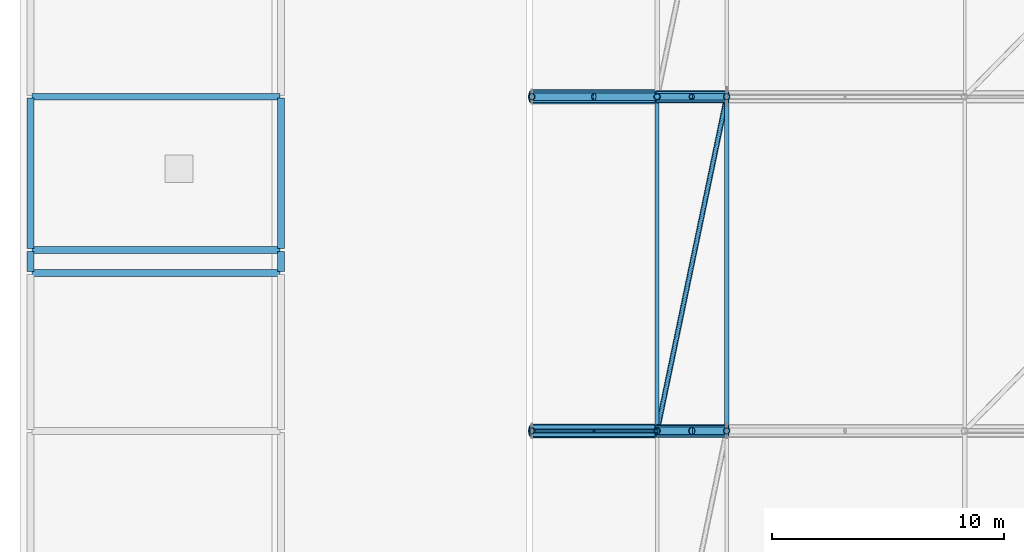
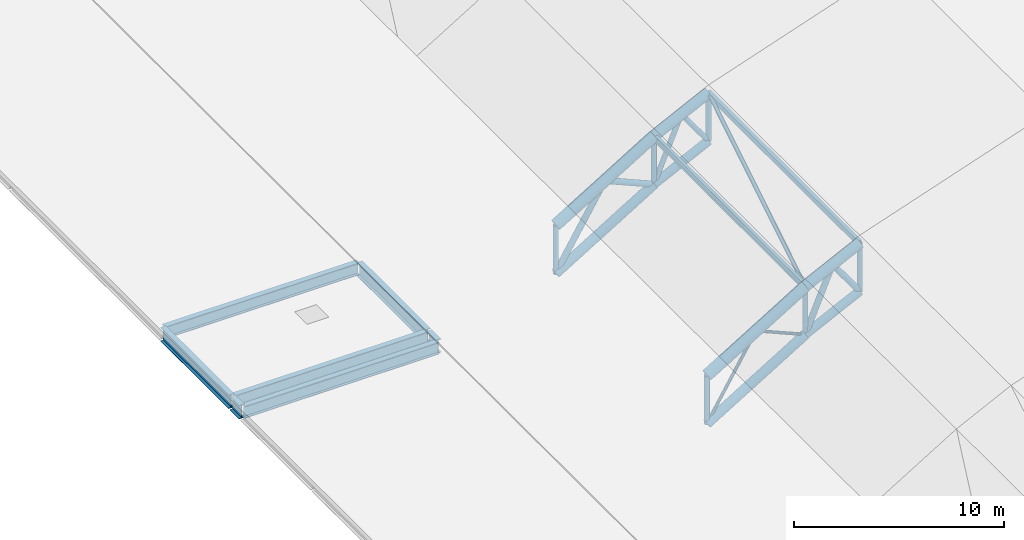
# One storey, part 7 of 36: 25 members, 7 beams.
"""IFC4 building model written with IfcOpenShell, lengths in metres."""

from ifc_helpers import new_model, si_unit, direction, frame, origin, origin_2d, place, context, subcontext, project, spatial, hollow_rectangle, hollow_circle, i_section, extrude, material, material_profile, profile_set, type_object, element, save


model = new_model("IFC4")

# Units and contexts
model_context = context("Model", 3, precision=1e-05, world=origin(), true_north=direction((0.0, 1.0)))
body_context = subcontext(model_context, "Body", "Model", "MODEL_VIEW")
ifc_project = project(units=[si_unit("LENGTHUNIT", "METRE"), si_unit("AREAUNIT", "SQUARE_METRE"), si_unit("VOLUMEUNIT", "CUBIC_METRE"), si_unit("PLANEANGLEUNIT", "RADIAN"), si_unit("MASSUNIT", "GRAM", prefix="KILO")], contexts=[model_context])

# Site, building, storey
site_placement = place(None, origin())
site = spatial("IfcSite", under=ifc_project, at=site_placement, CompositionType="ELEMENT")
building_placement = place(site_placement, origin())
building = spatial("IfcBuilding", under=site, at=building_placement, Name="Koshinbarg Plaza Stadium", CompositionType="ELEMENT")
storey_placement = place(building_placement, frame((0.0, 0.0, 34.199951171875)))
storey = spatial("IfcBuildingStorey", under=building, at=storey_placement, Name="RF", CompositionType="ELEMENT", Elevation=34.199951171875)

# Beams
ifc_material = material(Name="Steel S355", Category="steel")
ifc_material_profile_1 = material_profile(ifc_material, i_section(OverallWidth=0.300048828125, OverallDepth=0.699951171875, WebThickness=0.01708984375, FlangeThickness=0.031982421875, at=origin_2d()), Name="HEB 700")
ifc_profile_set_1 = profile_set([ifc_material_profile_1], Name="Steel S355")
beam_type_1 = type_object("IfcBeamType", Name="BM-SGIR-03", PredefinedType="USERDEFINED", material=ifc_profile_set_1)
for number, where, z_axis, x_axis, name in (
    (1, (24.659912109375, 75.5, -0.64990234375), (1.0, 0.0, 0.0), (0.0, 1.0, 0.0), "RF roof girder K/5-6"),
    (2, (24.659912109375, 76.5, -0.64990234375), (1.0, 0.0, 0.0), (0.0, 1.0, 0.0), "RF roof girder L/5-6"),
    (3, (24.659912109375, 83.10009765625, -0.64990234375), (1.0, 0.0, 0.0), (0.0, 1.0, 0.0), "RF roof girder M/5-6"),
):
    element("IfcBeam", number, at=place(storey_placement, frame(where, z_axis=z_axis, x_axis=x_axis)), inside=storey, type_object=beam_type_1, Name=name, ObjectType="GIRDER", PredefinedType="USERDEFINED", context=body_context, shape_type="SweptSolid", body=[
        extrude(i_section(OverallWidth=0.300048828125, OverallDepth=0.699951171875, WebThickness=0.01708984375, FlangeThickness=0.031982421875, at=origin_2d()), origin(), (0.0, 0.0, 1.0), 10.68017578125),
    ])
ifc_material_profile_2 = material_profile(ifc_material, i_section(OverallWidth=0.300048828125, OverallDepth=0.800048828125, WebThickness=0.017578125, FlangeThickness=0.032958984375, at=origin_2d()), Name="HEB 800")
ifc_profile_set_2 = profile_set([ifc_material_profile_2], Name="Steel S355")
beam_type_2 = type_object("IfcBeamType", Name="BM-SGIR-04", PredefinedType="USERDEFINED", material=ifc_profile_set_2)
beam_1_placement = place(storey_placement, frame((24.60009765625, 75.56005859375, -0.699951171875), z_axis=(0.0, 1.0, 0.0), x_axis=(-1.0, 0.0, 0.0)))
element("IfcBeam", 4, at=beam_1_placement, inside=storey, type_object=beam_type_2, Name="RF roof girder 5/K-L", ObjectType="GIRDER", PredefinedType="USERDEFINED", context=body_context, shape_type="SweptSolid", body=[
    extrude(i_section(OverallWidth=0.300048828125, OverallDepth=0.800048828125, WebThickness=0.017578125, FlangeThickness=0.032958984375, at=origin_2d()), origin(), (0.0, 0.0, 1.0), 0.8798828125),
])
beam_2_placement = place(storey_placement, frame((24.60009765625, 76.56005859375, -0.699951171875), z_axis=(0.0, 1.0, 0.0), x_axis=(-1.0, 0.0, 0.0)))
element("IfcBeam", 5, at=beam_2_placement, inside=storey, type_object=beam_type_2, Name="RF roof girder 5/L-M", ObjectType="GIRDER", PredefinedType="USERDEFINED", context=body_context, shape_type="SweptSolid", body=[
    extrude(i_section(OverallWidth=0.300048828125, OverallDepth=0.800048828125, WebThickness=0.017578125, FlangeThickness=0.032958984375, at=origin_2d()), origin(), (0.0, 0.0, 1.0), 6.47998046875),
])
beam_3_placement = place(storey_placement, frame((35.39990234375, 75.56005859375, -0.699951171875), z_axis=(0.0, 1.0, 0.0), x_axis=(-1.0, 0.0, 0.0)))
element("IfcBeam", 6, at=beam_3_placement, inside=storey, type_object=beam_type_2, Name="RF roof girder 6/K-L", ObjectType="GIRDER", PredefinedType="USERDEFINED", context=body_context, shape_type="SweptSolid", body=[
    extrude(i_section(OverallWidth=0.300048828125, OverallDepth=0.800048828125, WebThickness=0.017578125, FlangeThickness=0.032958984375, at=origin_2d()), origin(), (0.0, 0.0, 1.0), 0.8798828125),
])
beam_4_placement = place(storey_placement, frame((35.39990234375, 76.56005859375, -0.699951171875), z_axis=(0.0, 1.0, 0.0), x_axis=(-1.0, 0.0, 0.0)))
element("IfcBeam", 7, at=beam_4_placement, inside=storey, type_object=beam_type_2, Name="RF roof girder 6/L-M", ObjectType="GIRDER", PredefinedType="USERDEFINED", context=body_context, shape_type="SweptSolid", body=[
    extrude(i_section(OverallWidth=0.300048828125, OverallDepth=0.800048828125, WebThickness=0.017578125, FlangeThickness=0.032958984375, at=origin_2d()), origin(), (0.0, 0.0, 1.0), 6.47998046875),
])

# Members
ifc_material_profile_3 = material_profile(ifc_material, hollow_circle(Radius=0.161865234375, WallThickness=0.01416015625, at=origin_2d()), Name="CHS 323.9x14.2")
ifc_profile_set_3 = profile_set([ifc_material_profile_3], Name="Steel S355")
member_type_1 = type_object("IfcMemberType", Name="MB-BRACE-01", PredefinedType="BRACE", material=ifc_profile_set_3)
member_1_placement = place(storey_placement, frame((51.60009765625, 68.699951171875, -1.51513671875), z_axis=(0.390373616202, 0.0, 0.920656526492), x_axis=(0.0, 1.0, 0.0)))
element("IfcMember", 8, at=member_1_placement, inside=storey, type_object=member_type_1, Name="Quarter-barrel roof truss web diagonal WRB-04-2A", PredefinedType="BRACE", context=body_context, shape_type="SweptSolid", body=[
    extrude(hollow_circle(Radius=0.161865234375, WallThickness=0.01416015625, at=origin_2d()), origin(), (0.0, 0.0, 1.0), 3.842529296875),
])
member_2_placement = place(storey_placement, frame((53.10009765625, 68.699951171875, 2.0224609375), z_axis=(0.588171697675, 0.0, -0.808736084303), x_axis=(0.0, 1.0, 0.0)))
element("IfcMember", 9, at=member_2_placement, inside=storey, type_object=member_type_1, Name="Quarter-barrel roof truss web diagonal WRB-04-2B", PredefinedType="BRACE", context=body_context, shape_type="SweptSolid", body=[
    extrude(hollow_circle(Radius=0.161865234375, WallThickness=0.01416015625, at=origin_2d()), origin(), (0.0, 0.0, 1.0), 2.55029296875),
])
member_3_placement = place(storey_placement, frame((46.199951171875, 83.10009765625, -4.800048828125), z_axis=(0.519370245222, 0.0, 0.854549324719), x_axis=(0.0, 1.0, 0.0)))
element("IfcMember", 10, at=member_3_placement, inside=storey, type_object=member_type_1, Name="Quarter-barrel roof truss web diagonal WRB-05-1A", PredefinedType="BRACE", context=body_context, shape_type="SweptSolid", body=[
    extrude(hollow_circle(Radius=0.161865234375, WallThickness=0.01416015625, at=origin_2d()), origin(), (0.0, 0.0, 1.0), 5.198486328125),
])
member_4_placement = place(storey_placement, frame((48.89990234375, 83.10009765625, -0.357666015625), z_axis=(0.919114938458, 0.0, -0.393989504813), x_axis=(0.0, 1.0, 0.0)))
element("IfcMember", 11, at=member_4_placement, inside=storey, type_object=member_type_1, Name="Quarter-barrel roof truss web diagonal WRB-05-1B", PredefinedType="BRACE", context=body_context, shape_type="SweptSolid", body=[
    extrude(hollow_circle(Radius=0.161865234375, WallThickness=0.01416015625, at=origin_2d()), origin(), (0.0, 0.0, 1.0), 2.937744140625),
])
ifc_material_profile_4 = material_profile(ifc_material, hollow_circle(Radius=0.136474609375, WallThickness=0.012451171875, at=origin_2d()), Name="CHS 273x12.5")
ifc_profile_set_4 = profile_set([ifc_material_profile_4], Name="Steel S355")
member_type_2 = type_object("IfcMemberType", Name="MB-BRACE-02", PredefinedType="BRACE", material=ifc_profile_set_4)
for number, where, z_axis, x_axis, name in (
    (12, (46.199951171875, 68.699951171875, -4.800048828125), (0.0, 0.0, 1.0), (1.0, 0.0, 0.0), "Quarter-barrel roof truss post WRB-04-1"),
    (13, (51.60009765625, 68.699951171875, -1.51513671875), (0.0, 0.0, 1.0), (1.0, 0.0, 0.0), "Quarter-barrel roof truss post WRB-04-2"),
    (14, (54.60009765625, 68.699951171875, -0.0400390625), (0.0, 0.0, 1.0), (1.0, 0.0, 0.0), "Quarter-barrel roof truss post WRB-04-3"),
):
    element("IfcMember", number, at=place(storey_placement, frame(where, z_axis=z_axis, x_axis=x_axis)), inside=storey, type_object=member_type_2, Name=name, PredefinedType="BRACE", context=body_context, shape_type="SweptSolid", body=[
        extrude(hollow_circle(Radius=0.136474609375, WallThickness=0.012451171875, at=origin_2d()), origin(), (0.0, 0.0, 1.0), 2.800048828125),
    ])
member_5_placement = place(storey_placement, frame((51.60009765625, 83.10009765625, -1.51513671875), z_axis=(0.390373616202, 0.0, 0.920656526492), x_axis=(0.0, 1.0, 0.0)))
element("IfcMember", 15, at=member_5_placement, inside=storey, type_object=member_type_2, Name="Quarter-barrel roof truss web diagonal WRB-05-2A", PredefinedType="BRACE", context=body_context, shape_type="SweptSolid", body=[
    extrude(hollow_circle(Radius=0.136474609375, WallThickness=0.012451171875, at=origin_2d()), origin(), (0.0, 0.0, 1.0), 3.842529296875),
])
member_6_placement = place(storey_placement, frame((53.10009765625, 83.10009765625, 2.0224609375), z_axis=(0.588171697675, 0.0, -0.808736084303), x_axis=(0.0, 1.0, 0.0)))
element("IfcMember", 16, at=member_6_placement, inside=storey, type_object=member_type_2, Name="Quarter-barrel roof truss web diagonal WRB-05-2B", PredefinedType="BRACE", context=body_context, shape_type="SweptSolid", body=[
    extrude(hollow_circle(Radius=0.136474609375, WallThickness=0.012451171875, at=origin_2d()), origin(), (0.0, 0.0, 1.0), 2.55029296875),
])
for number, where, z_axis, x_axis, name in (
    (17, (46.199951171875, 83.10009765625, -4.800048828125), (0.0, 0.0, 1.0), (1.0, 0.0, 0.0), "Quarter-barrel roof truss post WRB-05-1"),
    (18, (51.60009765625, 83.10009765625, -1.51513671875), (0.0, 0.0, 1.0), (1.0, 0.0, 0.0), "Quarter-barrel roof truss post WRB-05-2"),
    (19, (54.60009765625, 83.10009765625, -0.0400390625), (0.0, 0.0, 1.0), (1.0, 0.0, 0.0), "Quarter-barrel roof truss post WRB-05-3"),
):
    element("IfcMember", number, at=place(storey_placement, frame(where, z_axis=z_axis, x_axis=x_axis)), inside=storey, type_object=member_type_2, Name=name, PredefinedType="BRACE", context=body_context, shape_type="SweptSolid", body=[
        extrude(hollow_circle(Radius=0.136474609375, WallThickness=0.012451171875, at=origin_2d()), origin(), (0.0, 0.0, 1.0), 2.800048828125),
    ])
ifc_material_profile_5 = material_profile(ifc_material, hollow_circle(Radius=0.109619140625, WallThickness=0.010009765625, at=origin_2d()), Name="CHS 219.1x10")
ifc_profile_set_5 = profile_set([ifc_material_profile_5], Name="Steel S355")
member_type_3 = type_object("IfcMemberType", Name="MB-BRACE-03", PredefinedType="BRACE", material=ifc_profile_set_5)
member_7_placement = place(storey_placement, frame((51.60009765625, 68.699951171875, 1.284912109375), z_axis=(0.202934391836, 0.97409498972, 0.099782681923), x_axis=(-0.978980833987, 0.203952265704, 0.0)))
element("IfcMember", 20, at=member_7_placement, inside=storey, type_object=member_type_3, Name="Roof plan wind brace west bay 4.2", PredefinedType="BRACE", context=body_context, shape_type="SweptSolid", body=[
    extrude(hollow_circle(Radius=0.109619140625, WallThickness=0.010009765625, at=origin_2d()), origin(), (0.0, 0.0, 1.0), 14.783203125),
])
ifc_material_profile_6 = material_profile(ifc_material, hollow_circle(Radius=0.084228515625, WallThickness=0.008056640625, at=origin_2d()), Name="CHS 168.3x8")
ifc_profile_set_6 = profile_set([ifc_material_profile_6], Name="Steel S355")
member_type_4 = type_object("IfcMemberType", Name="MB-BRACE-04", PredefinedType="BRACE", material=ifc_profile_set_6)
member_8_placement = place(storey_placement, frame((46.199951171875, 68.699951171875, -4.800048828125), z_axis=(0.519370245222, 0.0, 0.854549324719), x_axis=(0.0, 1.0, 0.0)))
element("IfcMember", 21, at=member_8_placement, inside=storey, type_object=member_type_4, Name="Quarter-barrel roof truss web diagonal WRB-04-1A", PredefinedType="BRACE", context=body_context, shape_type="SweptSolid", body=[
    extrude(hollow_circle(Radius=0.084228515625, WallThickness=0.008056640625, at=origin_2d()), origin(), (0.0, 0.0, 1.0), 5.198486328125),
])
member_9_placement = place(storey_placement, frame((48.89990234375, 68.699951171875, -0.357666015625), z_axis=(0.919114938458, 0.0, -0.393989504813), x_axis=(0.0, 1.0, 0.0)))
element("IfcMember", 22, at=member_9_placement, inside=storey, type_object=member_type_4, Name="Quarter-barrel roof truss web diagonal WRB-04-1B", PredefinedType="BRACE", context=body_context, shape_type="SweptSolid", body=[
    extrude(hollow_circle(Radius=0.084228515625, WallThickness=0.008056640625, at=origin_2d()), origin(), (0.0, 0.0, 1.0), 2.937744140625),
])
ifc_material_profile_7 = material_profile(ifc_material, hollow_circle(Radius=0.304931640625, WallThickness=0.02490234375, at=origin_2d()), Name="CHS 610x25")
ifc_profile_set_7 = profile_set([ifc_material_profile_7], Name="Steel S355")
member_type_5 = type_object("IfcMemberType", Name="MB-CHORD-01", PredefinedType="CHORD", material=ifc_profile_set_7)
for number, where, z_axis, x_axis, name in (
    (23, (46.199951171875, 68.699951171875, -2.0), (0.854348438745, 0.0, 0.519700630377), (0.0, 1.0, 0.0), "Quarter-barrel roof truss top chord WRB-04-1"),
    (24, (46.199951171875, 83.10009765625, -2.0), (0.854348438745, 0.0, 0.519700630377), (0.0, 1.0, 0.0), "Quarter-barrel roof truss top chord WRB-05-1"),
):
    element("IfcMember", number, at=place(storey_placement, frame(where, z_axis=z_axis, x_axis=x_axis)), inside=storey, type_object=member_type_5, Name=name, PredefinedType="CHORD", context=body_context, shape_type="SweptSolid", body=[
        extrude(hollow_circle(Radius=0.304931640625, WallThickness=0.02490234375, at=origin_2d()), origin(), (0.0, 0.0, 1.0), 6.32080078125),
    ])
ifc_material_profile_8 = material_profile(ifc_material, hollow_circle(Radius=0.279541015625, WallThickness=0.022216796875, at=origin_2d()), Name="CHS 559x22.2")
ifc_profile_set_8 = profile_set([ifc_material_profile_8], Name="Steel S355")
member_type_6 = type_object("IfcMemberType", Name="MB-CHORD-02", PredefinedType="CHORD", material=ifc_profile_set_8)
for number, where, z_axis, x_axis, name in (
    (25, (51.60009765625, 68.699951171875, 1.284912109375), (0.897386943952, 0.0, 0.441244459257), (0.0, 1.0, 0.0), "Quarter-barrel roof truss top chord WRB-04-2"),
    (26, (51.60009765625, 83.10009765625, 1.284912109375), (0.897386943952, 0.0, 0.441244459257), (0.0, 1.0, 0.0), "Quarter-barrel roof truss top chord WRB-05-2"),
):
    element("IfcMember", number, at=place(storey_placement, frame(where, z_axis=z_axis, x_axis=x_axis)), inside=storey, type_object=member_type_6, Name=name, PredefinedType="CHORD", context=body_context, shape_type="SweptSolid", body=[
        extrude(hollow_circle(Radius=0.279541015625, WallThickness=0.022216796875, at=origin_2d()), origin(), (0.0, 0.0, 1.0), 3.343017578125),
    ])
ifc_material_profile_9 = material_profile(ifc_material, hollow_circle(Radius=0.25390625, WallThickness=0.02001953125, at=origin_2d()), Name="CHS 508x20")
ifc_profile_set_9 = profile_set([ifc_material_profile_9], Name="Steel S355")
member_type_7 = type_object("IfcMemberType", Name="MB-CHORD-03", PredefinedType="CHORD", material=ifc_profile_set_9)
for number, where, z_axis, x_axis, name in (
    (27, (46.199951171875, 68.699951171875, -4.800048828125), (0.854348438745, 0.0, 0.519700630377), (0.0, 1.0, 0.0), "Quarter-barrel roof truss bottom chord WRB-04-1"),
    (28, (46.199951171875, 83.10009765625, -4.800048828125), (0.854348438745, 0.0, 0.519700630377), (0.0, 1.0, 0.0), "Quarter-barrel roof truss bottom chord WRB-05-1"),
):
    element("IfcMember", number, at=place(storey_placement, frame(where, z_axis=z_axis, x_axis=x_axis)), inside=storey, type_object=member_type_7, Name=name, PredefinedType="CHORD", context=body_context, shape_type="SweptSolid", body=[
        extrude(hollow_circle(Radius=0.25390625, WallThickness=0.02001953125, at=origin_2d()), origin(), (0.0, 0.0, 1.0), 6.32080078125),
    ])
ifc_material_profile_10 = material_profile(ifc_material, hollow_circle(Radius=0.228515625, WallThickness=0.02001953125, at=origin_2d()), Name="CHS 457x20")
ifc_profile_set_10 = profile_set([ifc_material_profile_10], Name="Steel S355")
member_type_8 = type_object("IfcMemberType", Name="MB-CHORD-04", PredefinedType="CHORD", material=ifc_profile_set_10)
for number, where, z_axis, x_axis, name in (
    (29, (51.60009765625, 68.699951171875, -1.51513671875), (0.897386943952, 0.0, 0.441244459257), (0.0, 1.0, 0.0), "Quarter-barrel roof truss bottom chord WRB-04-2"),
    (30, (51.60009765625, 83.10009765625, -1.51513671875), (0.897386943952, 0.0, 0.441244459257), (0.0, 1.0, 0.0), "Quarter-barrel roof truss bottom chord WRB-05-2"),
):
    element("IfcMember", number, at=place(storey_placement, frame(where, z_axis=z_axis, x_axis=x_axis)), inside=storey, type_object=member_type_8, Name=name, PredefinedType="CHORD", context=body_context, shape_type="SweptSolid", body=[
        extrude(hollow_circle(Radius=0.228515625, WallThickness=0.02001953125, at=origin_2d()), origin(), (0.0, 0.0, 1.0), 3.343017578125),
    ])
ifc_material_profile_11 = material_profile(ifc_material, hollow_rectangle(XDim=0.199951171875, YDim=0.300048828125, WallThickness=0.012451171875, at=origin_2d()), Name="RHS 300x200x12.5")
ifc_profile_set_11 = profile_set([ifc_material_profile_11], Name="Steel S355")
member_type_9 = type_object("IfcMemberType", Name="MB-PURL-01", PredefinedType="PURLIN", material=ifc_profile_set_11)
member_10_placement = place(storey_placement, frame((54.60009765625, 68.699951171875, 2.739990234375), z_axis=(0.0, 1.0, 0.0), x_axis=(-1.0, 0.0, 0.0)))
element("IfcMember", 31, at=member_10_placement, inside=storey, type_object=member_type_9, Name="Roof longitudinal purlin west bay 4.3", PredefinedType="PURLIN", context=body_context, shape_type="SweptSolid", body=[
    extrude(hollow_rectangle(XDim=0.199951171875, YDim=0.300048828125, WallThickness=0.012451171875, at=origin_2d()), origin(), (0.0, 0.0, 1.0), 14.400146484375),
])
ifc_material_profile_12 = material_profile(ifc_material, i_section(OverallWidth=0.169921875, OverallDepth=0.360107421875, WebThickness=0.008056640625, FlangeThickness=0.0126953125, at=origin_2d()), Name="IPE 360")
ifc_profile_set_12 = profile_set([ifc_material_profile_12], Name="Steel S355")
member_type_10 = type_object("IfcMemberType", Name="MB-PURL-05", PredefinedType="PURLIN", material=ifc_profile_set_12)
member_11_placement = place(storey_placement, frame((51.60009765625, 68.699951171875, 1.264892578125), z_axis=(0.0, 1.0, 0.0), x_axis=(-1.0, 0.0, 0.0)))
element("IfcMember", 32, at=member_11_placement, inside=storey, type_object=member_type_10, Name="Roof longitudinal purlin west bay 4.2", PredefinedType="PURLIN", context=body_context, shape_type="SweptSolid", body=[
    extrude(i_section(OverallWidth=0.169921875, OverallDepth=0.360107421875, WebThickness=0.008056640625, FlangeThickness=0.0126953125, at=origin_2d()), origin(), (0.0, 0.0, 1.0), 14.400146484375),
])

save(model, "model.ifc")
